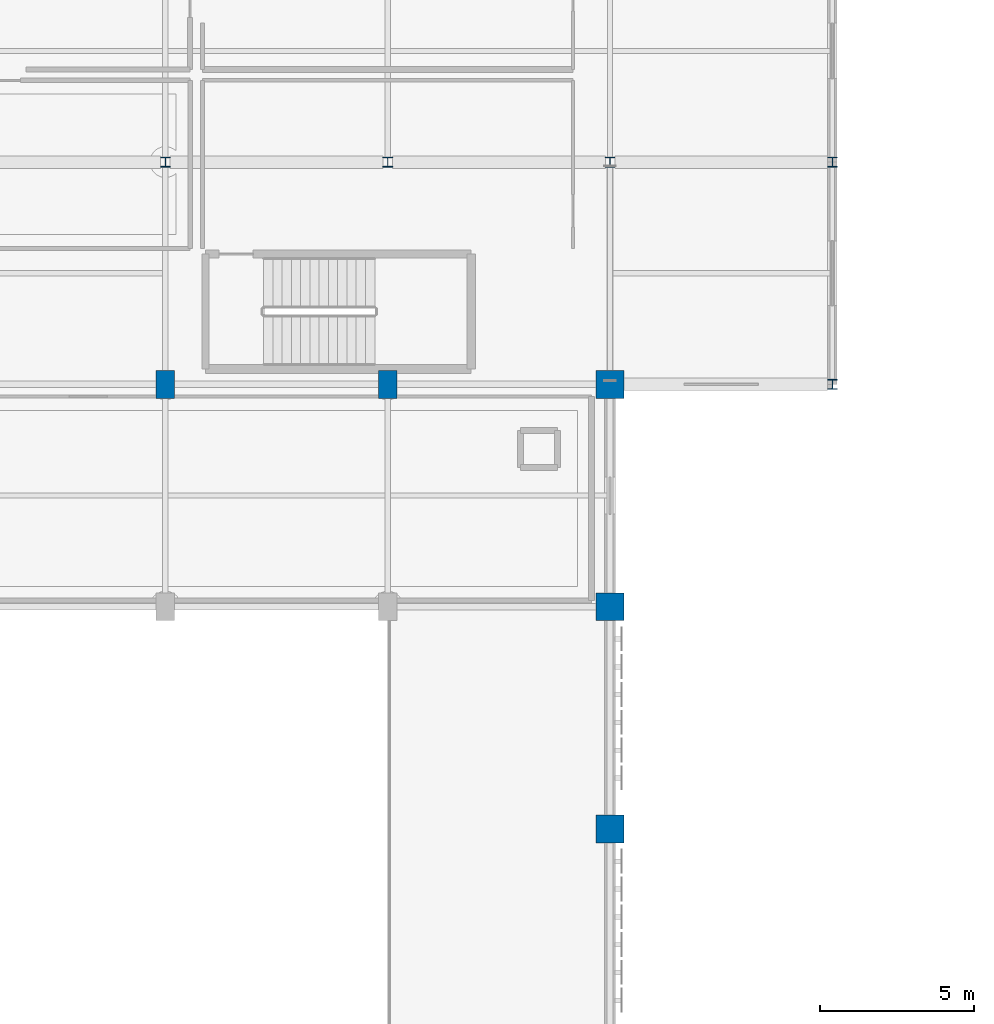
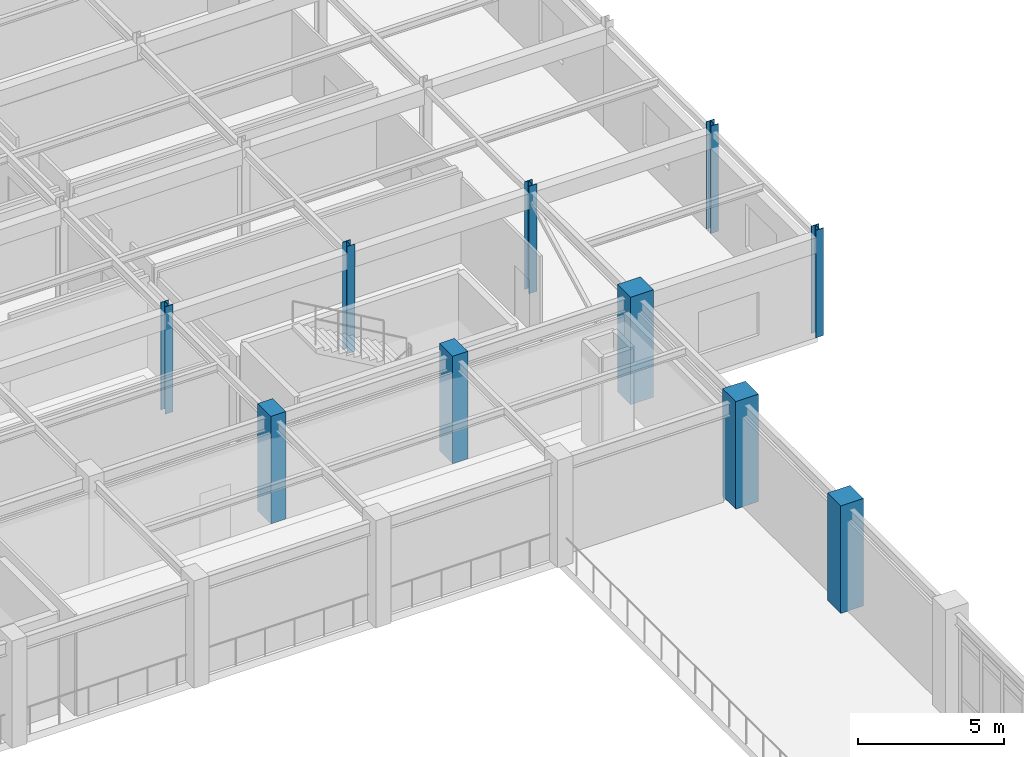
# One storey, part 3 of 106: 10 columns.
"""IFC4 building model written with IfcOpenShell, lengths in metres."""

from ifc_helpers import new_model, si_unit, direction, frame, origin, origin_2d, place, context, subcontext, project, spatial, rectangle, i_section, extrude, material, material_profile, profile_set, type_object, element, save


model = new_model("IFC4")

# Units and contexts
model_context = context("Model", 3, precision=1e-05, world=origin(), true_north=direction((0.0, 1.0)))
body_context = subcontext(model_context, "Body", "Model", "MODEL_VIEW")
ifc_project = project(units=[si_unit("LENGTHUNIT", "METRE"), si_unit("AREAUNIT", "SQUARE_METRE"), si_unit("VOLUMEUNIT", "CUBIC_METRE"), si_unit("PLANEANGLEUNIT", "RADIAN"), si_unit("MASSUNIT", "GRAM", prefix="KILO")], contexts=[model_context])

# Site, building, storey
site_placement = place(None, origin())
site = spatial("IfcSite", under=ifc_project, at=site_placement, CompositionType="ELEMENT")
building_placement = place(site_placement, origin())
building = spatial("IfcBuilding", under=site, at=building_placement, Name="Carrowvane Square Congress Hotel", CompositionType="ELEMENT")
storey_placement = place(building_placement, frame((0.0, 0.0, 10.5)))
storey = spatial("IfcBuildingStorey", under=building, at=storey_placement, Name="L02", CompositionType="ELEMENT", Elevation=10.5)

# Columns
ifc_material_1 = material(Name="Concrete C40/50", Category="concrete")
ifc_material_profile_1 = material_profile(ifc_material_1, rectangle(XDim=0.60009765625, YDim=0.89990234375, at=origin_2d()), Name="RC 600x900")
ifc_profile_set_1 = profile_set([ifc_material_profile_1], Name="Concrete C40/50")
column_type_1 = type_object("IfcColumnType", Name="COL-RC-600x900", PredefinedType="COLUMN", material=ifc_profile_set_1)
for number, where, z_axis, x_axis, name in (
    (1, (47.60009765625, 55.800048828125, 0.0), (0.0, 0.0, 1.0), (1.0, 0.0, 0.0), "L02 column 6/H"),
    (2, (54.800048828125, 55.800048828125, 0.0), (0.0, 0.0, 1.0), (1.0, 0.0, 0.0), "L02 column 7/H"),
):
    element("IfcColumn", number, at=place(storey_placement, frame(where, z_axis=z_axis, x_axis=x_axis)), inside=storey, type_object=column_type_1, Name=name, PredefinedType="COLUMN", context=body_context, shape_type="SweptSolid", body=[
        extrude(rectangle(XDim=0.60009765625, YDim=0.89990234375, at=origin_2d()), origin(), (0.0, 0.0, 1.0), 4.5),
    ])
ifc_material_2 = material(Name="Steel S355", Category="steel")
ifc_material_profile_2 = material_profile(ifc_material_2, i_section(OverallWidth=0.30908203125, OverallDepth=0.320556640625, WebThickness=0.013916015625, FlangeThickness=0.021728515625, FilletRadius=0.01513671875, at=origin_2d()), Name="UKC 305x305x137")
ifc_profile_set_2 = profile_set([ifc_material_profile_2], Name="Steel S355")
column_type_2 = type_object("IfcColumnType", Name="COL-ST-UKC305", PredefinedType="COLUMN", material=ifc_profile_set_2)
for number, where, z_axis, x_axis, name in (
    (3, (47.60009765625, 63.0, 0.0), (0.0, 0.0, 1.0), (1.0, 0.0, 0.0), "L02 column 6/J"),
    (4, (54.800048828125, 63.0, 0.0), (0.0, 0.0, 1.0), (1.0, 0.0, 0.0), "L02 column 7/J"),
    (5, (62.0, 63.0, 0.0), (0.0, 0.0, 1.0), (1.0, 0.0, 0.0), "L02 column 8/J"),
    (6, (69.199951171875, 55.800048828125, 0.0), (0.0, 0.0, 1.0), (1.0, 0.0, 0.0), "L02 column 9/H"),
    (7, (69.199951171875, 63.0, 0.0), (0.0, 0.0, 1.0), (1.0, 0.0, 0.0), "L02 column 9/J"),
):
    element("IfcColumn", number, at=place(storey_placement, frame(where, z_axis=z_axis, x_axis=x_axis)), inside=storey, type_object=column_type_2, Name=name, PredefinedType="COLUMN", context=body_context, shape_type="SweptSolid", body=[
        extrude(i_section(OverallWidth=0.30908203125, OverallDepth=0.320556640625, WebThickness=0.013916015625, FlangeThickness=0.021728515625, FilletRadius=0.01513671875, at=origin_2d()), origin(), (0.0, 0.0, 1.0), 4.5),
    ])
ifc_material_3 = material(Name="Concrete C40/50", Category="concrete")
ifc_material_profile_3 = material_profile(ifc_material_3, rectangle(XDim=0.89990234375, YDim=0.89990234375, at=origin_2d()), Name="RC 900x900")
ifc_profile_set_3 = profile_set([ifc_material_profile_3], Name="Concrete C40/50")
column_type_3 = type_object("IfcColumnType", Name="MCOL-RC-900", PredefinedType="COLUMN", material=ifc_profile_set_3)
for number, where, z_axis, x_axis, name in (
    (8, (62.0, 41.39990234375, 0.0), (0.0, 0.0, 1.0), (1.0, 0.0, 0.0), "L02 column 8/F"),
    (9, (62.0, 48.60009765625, 0.0), (0.0, 0.0, 1.0), (1.0, 0.0, 0.0), "L02 column 8/G"),
    (10, (62.0, 55.800048828125, 0.0), (0.0, 0.0, 1.0), (1.0, 0.0, 0.0), "L02 column 8/H"),
):
    element("IfcColumn", number, at=place(storey_placement, frame(where, z_axis=z_axis, x_axis=x_axis)), inside=storey, type_object=column_type_3, Name=name, PredefinedType="COLUMN", context=body_context, shape_type="SweptSolid", body=[
        extrude(rectangle(XDim=0.89990234375, YDim=0.89990234375, at=origin_2d()), origin(), (0.0, 0.0, 1.0), 4.5),
    ])

save(model, "model.ifc")
